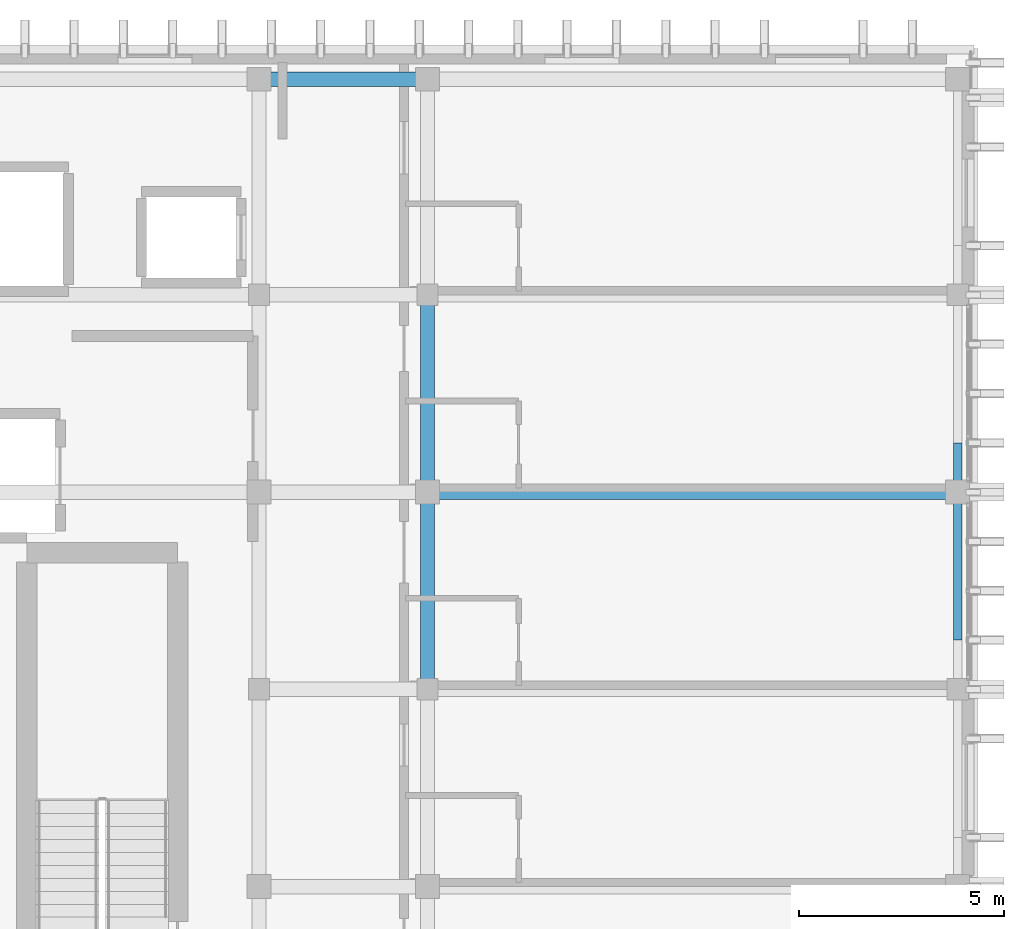
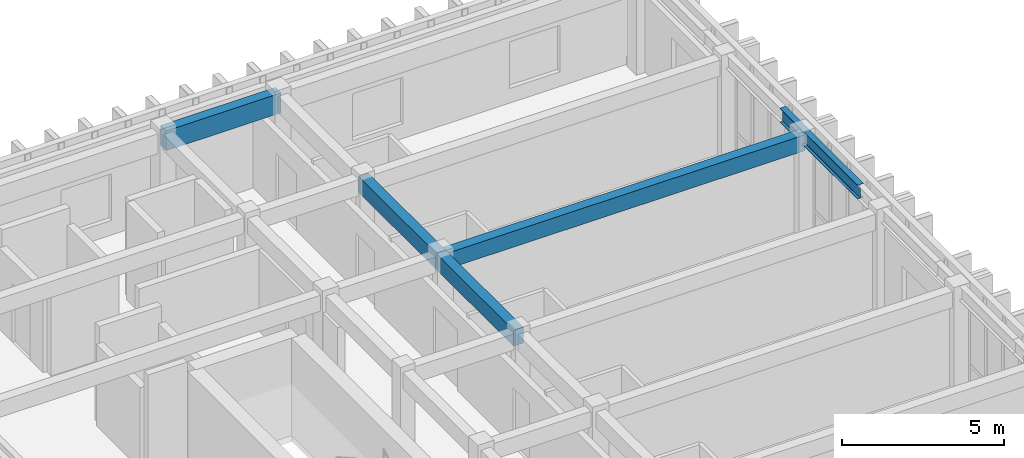
# One storey, part 31 of 49: 5 beams.
"""IFC4 building model written with IfcOpenShell, lengths in metres."""

from ifc_helpers import new_model, si_unit, direction, frame, origin, origin_2d, place, context, subcontext, project, spatial, rectangle, i_section, extrude, material, material_profile, profile_set, type_object, element, save


model = new_model("IFC4")

# Units and contexts
model_context = context("Model", 3, precision=1e-05, world=origin(), true_north=direction((0.0, 1.0)))
body_context = subcontext(model_context, "Body", "Model", "MODEL_VIEW")
ifc_project = project(units=[si_unit("LENGTHUNIT", "METRE"), si_unit("AREAUNIT", "SQUARE_METRE"), si_unit("VOLUMEUNIT", "CUBIC_METRE"), si_unit("PLANEANGLEUNIT", "RADIAN"), si_unit("MASSUNIT", "GRAM", prefix="KILO")], contexts=[model_context])

# Site, building, storey
site_placement = place(None, origin())
site = spatial("IfcSite", under=ifc_project, at=site_placement, CompositionType="ELEMENT")
building_placement = place(site_placement, origin())
building = spatial("IfcBuilding", under=site, at=building_placement, Name="Nakhvara Creek Congress Hotel", CompositionType="ELEMENT")
storey_placement = place(building_placement, frame((0.0, 0.0, 46.5)))
storey = spatial("IfcBuildingStorey", under=building, at=storey_placement, Name="L11", CompositionType="ELEMENT", Elevation=46.5)

# Beams
ifc_material_1 = material(Name="Concrete C40/50", Category="concrete")
ifc_material_profile_1 = material_profile(ifc_material_1, rectangle(XDim=0.35009765625, YDim=0.60009765625, at=origin_2d()), Name="RC-BM 350x600", Category="LoadBearing")
ifc_profile_set_1 = profile_set([ifc_material_profile_1], Name="Concrete C40/50")
beam_type_1 = type_object("IfcBeamType", Name="BM-RC-350X600", PredefinedType="BEAM", material=ifc_profile_set_1)
beam_1_placement = place(storey_placement, frame((166.449951171875, 115.199951171875, 3.3798828125), z_axis=(1.0, 0.0, 0.0), x_axis=(0.0, 1.0, 0.0)))
element("IfcBeam", 1, at=beam_1_placement, inside=storey, type_object=beam_type_1, Name="Beam B07-L11-2759", PredefinedType="BEAM", context=body_context, shape_type="SweptSolid", body=[
    extrude(rectangle(XDim=0.35009765625, YDim=0.60009765625, at=origin_2d()), origin(), (0.0, 0.0, 1.0), 12.900146484375),
])
for number, where, z_axis, x_axis, name in (
    (2, (166.449951171875, 110.39990234375, 3.3798828125), (0.0, 1.0, 0.0), (-1.0, 0.0, 0.0), "Beam B07-L11-2760"),
    (3, (166.449951171875, 115.199951171875, 3.3798828125), (0.0, 1.0, 0.0), (-1.0, 0.0, 0.0), "Beam B07-L11-2761"),
):
    element("IfcBeam", number, at=place(storey_placement, frame(where, z_axis=z_axis, x_axis=x_axis)), inside=storey, type_object=beam_type_1, Name=name, PredefinedType="BEAM", context=body_context, shape_type="SweptSolid", body=[
        extrude(rectangle(XDim=0.35009765625, YDim=0.60009765625, at=origin_2d()), origin(), (0.0, 0.0, 1.0), 4.800048828125),
    ])
ifc_material_profile_2 = material_profile(ifc_material_1, rectangle(XDim=0.35009765625, YDim=0.75, at=origin_2d()), Name="RC-SPANDREL 350x750", Category="LoadBearing")
ifc_profile_set_2 = profile_set([ifc_material_profile_2], Name="Concrete C40/50")
beam_type_2 = type_object("IfcBeamType", Name="BM-SPN-350X750", PredefinedType="SPANDREL", material=ifc_profile_set_2)
beam_2_placement = place(storey_placement, frame((162.35009765625, 125.25, 3.304931640625), z_axis=(1.0, 0.0, 0.0), x_axis=(0.0, 1.0, 0.0)))
element("IfcBeam", 4, at=beam_2_placement, inside=storey, type_object=beam_type_2, Name="Beam SP1-L11-2743", PredefinedType="SPANDREL", context=body_context, shape_type="SweptSolid", body=[
    extrude(rectangle(XDim=0.35009765625, YDim=0.75, at=origin_2d()), origin(), (0.0, 0.0, 1.0), 4.099853515625),
])
ifc_material_2 = material(Name="Steel S355J2", Category="steel")
ifc_material_profile_3 = material_profile(ifc_material_2, i_section(OverallWidth=0.209228515625, OverallDepth=0.533203125, WebThickness=0.010009765625, FlangeThickness=0.015625, FilletRadius=0.0126953125, at=origin_2d()), Name="UB 533x210x92", Category="LoadBearing")
ifc_profile_set_3 = profile_set([ifc_material_profile_3], Name="Steel S355J2")
beam_type_3 = type_object("IfcBeamType", Name="BM-ST-UB533", PredefinedType="BEAM", material=ifc_profile_set_3)
beam_3_placement = place(storey_placement, frame((179.35009765625, 111.60009765625, 3.6201171875), z_axis=(0.0, 1.0, 0.0), x_axis=(-1.0, 0.0, 0.0)))
element("IfcBeam", 5, at=beam_3_placement, inside=storey, type_object=beam_type_3, Name="Hotel Gable Eave Beam E-09", PredefinedType="BEAM", context=body_context, shape_type="SweptSolid", body=[
    extrude(i_section(OverallWidth=0.209228515625, OverallDepth=0.533203125, WebThickness=0.010009765625, FlangeThickness=0.015625, FilletRadius=0.0126953125, at=origin_2d()), origin(), (0.0, 0.0, 1.0), 4.7998046875),
])

save(model, "model.ifc")
